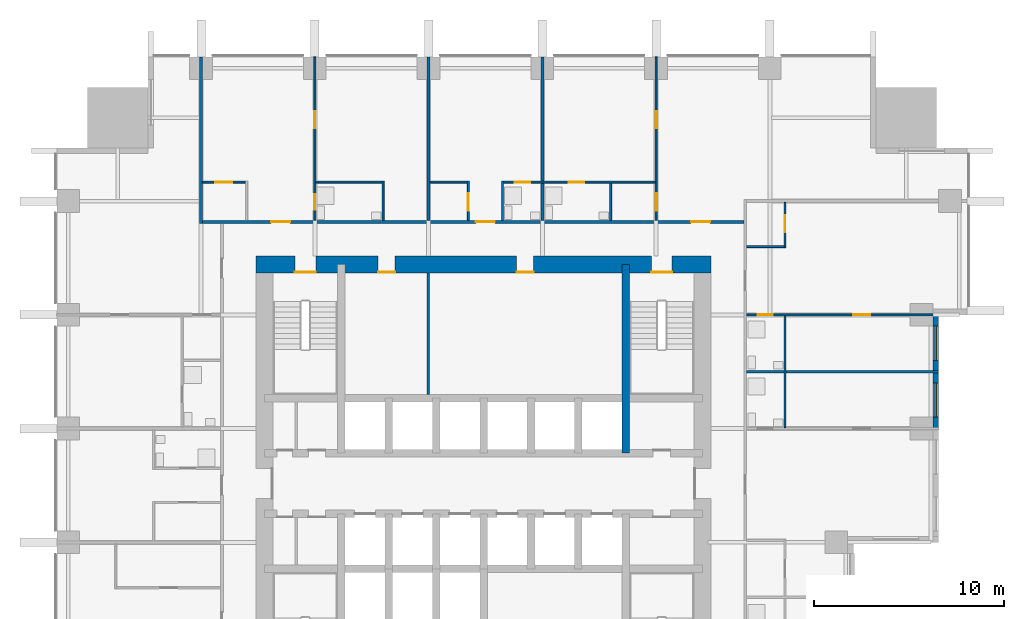
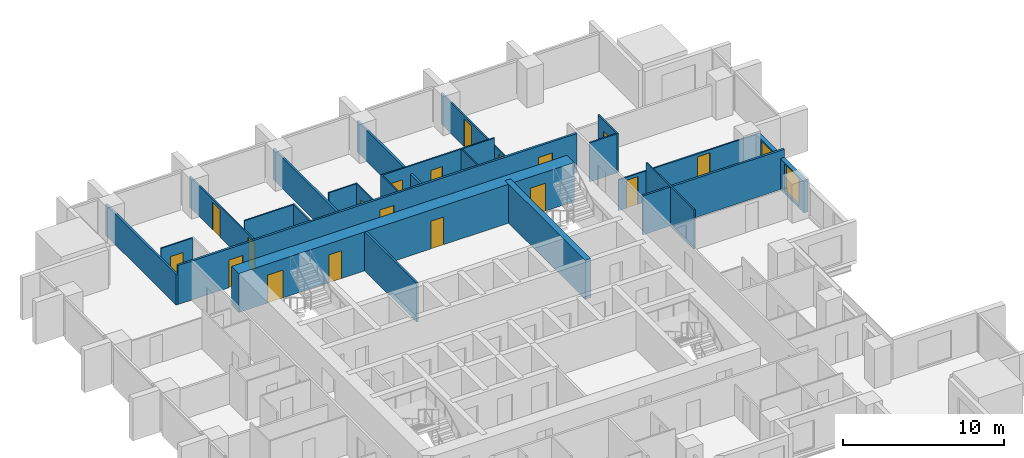
# One storey, part 7 of 10: 23 walls, 18 doors, 2 windows, 20 openings.
"""IFC4 building model written with IfcOpenShell, lengths in metres."""

from ifc_helpers import new_model, si_unit, direction, frame, frame_2d, origin, place, context, subcontext, project, spatial, rectangle, extrude, material, layer, layer_set, type_object, element, fill, save


model = new_model("IFC4")

# Units and contexts
model_context = context("Model", 3, precision=1e-05, world=origin(), true_north=direction((0.0, 1.0)))
body_context = subcontext(model_context, "Body", "Model", "MODEL_VIEW")
ifc_project = project(units=[si_unit("LENGTHUNIT", "METRE"), si_unit("AREAUNIT", "SQUARE_METRE"), si_unit("VOLUMEUNIT", "CUBIC_METRE"), si_unit("PLANEANGLEUNIT", "RADIAN"), si_unit("MASSUNIT", "GRAM", prefix="KILO")], contexts=[model_context])

# Site, building, storey
site_placement = place(None, origin())
site = spatial("IfcSite", under=ifc_project, at=site_placement, CompositionType="ELEMENT")
building_placement = place(site_placement, origin())
building = spatial("IfcBuilding", under=site, at=building_placement, Name="Amberfall Residences", CompositionType="ELEMENT")
storey_placement = place(building_placement, frame((0.0, 0.0, 66.39990234375)))
storey = spatial("IfcBuildingStorey", under=building, at=storey_placement, Name="L18", CompositionType="ELEMENT", Elevation=66.39990234375)

# Wall, openings, windows
ifc_material_1 = material(Name="Pale stone cladding on insulated backing", Category="masonry")
ifc_layer_1 = layer(ifc_material_1, 0.300048828125)
ifc_layer_set_1 = layer_set([ifc_layer_1], Name="Bronze clad wall 300")
wall_type_1 = type_object("IfcWallType", Name="Bronze clad wall 300", PredefinedType="SOLIDWALL", material=ifc_layer_set_1)
wall_1_placement = place(storey_placement, frame((98.35009765625, 48.39990234375, 0.0), z_axis=(0.0, 0.0, 1.0), x_axis=(0.0, 1.0, 0.0)))
wall_1 = element("IfcWall", 1, at=wall_1_placement, inside=storey, type_object=wall_type_1, Name="Stone wall L18 E", PredefinedType="SOLIDWALL", context=body_context, shape_type="SweptSolid", body=[
    extrude(rectangle(XDim=6.0, YDim=0.300048828125, at=frame_2d((3.0, 0.0))), origin(), (0.0, 0.0, 1.0), 2.340576171875),
])
opening_1_placement = place(wall_1_placement, frame((0.60009765625, 0.0, 0.14990234375)))
opening_1 = element("IfcOpeningElement", 2, at=opening_1_placement, cuts=wall_1, Name="Opening WN6", PredefinedType="OPENING", context=body_context, shape_type="SweptSolid", body=[
    extrude(rectangle(XDim=1.800048828125, YDim=2.10009765625, at=frame_2d((0.89990234375, 1.050048828125))), frame((0.0, 0.159912109375, 0.0), z_axis=(0.0, -1.0, 0.0), x_axis=(1.0, 0.0, 0.0)), (0.0, 0.0, 1.0), 0.320068359375),
])
opening_2_placement = place(wall_1_placement, frame((3.60009765625, 0.0, 0.14990234375)))
opening_2 = element("IfcOpeningElement", 3, at=opening_2_placement, cuts=wall_1, Name="Opening WN6", PredefinedType="OPENING", context=body_context, shape_type="SweptSolid", body=[
    extrude(rectangle(XDim=1.800048828125, YDim=2.10009765625, at=frame_2d((0.89990234375, 1.050048828125))), frame((0.0, 0.159912109375, 0.0), z_axis=(0.0, -1.0, 0.0), x_axis=(1.0, 0.0, 0.0)), (0.0, 0.0, 1.0), 0.320068359375),
])
ifc_material_2 = material(Name="Bronze aluminium framed glazing", Category="aluminium")
window_type = type_object("IfcWindowType", Name="Glazed opening 1800 x 2100 bronze", PartitioningType="DOUBLE_PANEL_VERTICAL", PredefinedType="WINDOW", material=ifc_material_2)
window_1_placement = place(opening_1_placement, origin())
window_1 = element("IfcWindow", 4, at=window_1_placement, inside=storey, type_object=window_type, Name="Window L18 E", OverallHeight=2.10009765625, OverallWidth=1.800048828125, PartitioningType="DOUBLE_PANEL_VERTICAL", PredefinedType="WINDOW", context=body_context, shape_type="SweptSolid", body=[
    extrude(rectangle(XDim=1.800048828125, YDim=2.10009765625, at=frame_2d((0.89990234375, 1.050048828125))), frame((0.0, 0.030029296875, 0.0), z_axis=(0.0, -1.0, 0.0), x_axis=(1.0, 0.0, 0.0)), (0.0, 0.0, 1.0), 0.06005859375),
])
fill(opening_1, window_1)
window_2_placement = place(opening_2_placement, origin())
window_2 = element("IfcWindow", 5, at=window_2_placement, inside=storey, type_object=window_type, Name="Window L18 E", OverallHeight=2.10009765625, OverallWidth=1.800048828125, PartitioningType="DOUBLE_PANEL_VERTICAL", PredefinedType="WINDOW", context=body_context, shape_type="SweptSolid", body=[
    extrude(rectangle(XDim=1.800048828125, YDim=2.10009765625, at=frame_2d((0.89990234375, 1.050048828125))), frame((0.0, 0.030029296875, 0.0), z_axis=(0.0, -1.0, 0.0), x_axis=(1.0, 0.0, 0.0)), (0.0, 0.0, 1.0), 0.06005859375),
])
fill(opening_2, window_2)

# Wall
ifc_material_3 = material(Name="Concrete C80", Category="concrete")
ifc_layer_2 = layer(ifc_material_3, 0.39990234375)
ifc_layer_set_2 = layer_set([ifc_layer_2], Name="Core wall 400 C80")
wall_type_2 = type_object("IfcWallType", Name="Core wall 400 C80", PredefinedType="SHEAR", material=ifc_layer_set_2)
wall_2_placement = place(storey_placement, frame((82.0, 47.10009765625, 0.0), z_axis=(0.0, 0.0, 1.0), x_axis=(0.0, 1.0, 0.0)))
element("IfcWall", 6, at=wall_2_placement, inside=storey, type_object=wall_type_2, Name="Core wall RW2 L18 V195N", PredefinedType="SHEAR", context=body_context, shape_type="SweptSolid", body=[
    extrude(rectangle(XDim=9.949951171875, YDim=0.39990234375, at=frame_2d((4.97509765625, 0.0))), origin(), (0.0, 0.0, 1.0), 2.9501953125),
])

# Wall, openings, doors
ifc_layer_3 = layer(ifc_material_3, 0.89990234375)
ifc_layer_set_3 = layer_set([ifc_layer_3], Name="Core wall 900 C80")
wall_type_3 = type_object("IfcWallType", Name="Core wall 900 C80", PredefinedType="SHEAR", material=ifc_layer_set_3)
wall_3_placement = place(storey_placement, frame((62.5, 57.050048828125, 0.0), z_axis=(0.0, 0.0, 1.0), x_axis=(1.0, 0.0, 0.0)))
wall_3 = element("IfcWall", 7, at=wall_3_placement, inside=storey, type_object=wall_type_3, Name="Core wall RW1 L18 ON", PredefinedType="SHEAR", context=body_context, shape_type="SweptSolid", body=[
    extrude(rectangle(XDim=24.0, YDim=0.89990234375, at=frame_2d((12.0, 0.0))), origin(), (0.0, 0.0, 1.0), 2.9501953125),
])
opening_3_placement = place(wall_3_placement, frame((20.85009765625, 0.0, 0.0)))
opening_3 = element("IfcOpeningElement", 8, at=opening_3_placement, cuts=wall_3, Name="Opening SD1", PredefinedType="OPENING", context=body_context, shape_type="SweptSolid", body=[
    extrude(rectangle(XDim=1.10009765625, YDim=2.10009765625, at=frame_2d((0.550048828125, 1.050048828125))), frame((0.0, 0.4599609375, 0.0), z_axis=(0.0, -1.0, 0.0), x_axis=(1.0, 0.0, 0.0)), (0.0, 0.0, 1.0), 0.919921875),
])
opening_4_placement = place(wall_3_placement, frame((2.050048828125, 0.0, 0.0)))
opening_4 = element("IfcOpeningElement", 9, at=opening_4_placement, cuts=wall_3, Name="Opening SD1", PredefinedType="OPENING", context=body_context, shape_type="SweptSolid", body=[
    extrude(rectangle(XDim=1.10009765625, YDim=2.10009765625, at=frame_2d((0.550048828125, 1.050048828125))), frame((0.0, 0.4599609375, 0.0), z_axis=(0.0, -1.0, 0.0), x_axis=(1.0, 0.0, 0.0)), (0.0, 0.0, 1.0), 0.919921875),
])
opening_5_placement = place(wall_3_placement, frame((6.43994140625, 0.0, 0.0)))
opening_5 = element("IfcOpeningElement", 10, at=opening_5_placement, cuts=wall_3, Name="Opening RD1", PredefinedType="OPENING", context=body_context, shape_type="SweptSolid", body=[
    extrude(rectangle(XDim=0.89990234375, YDim=2.10009765625, at=frame_2d((0.449951171875, 1.050048828125))), frame((0.0, 0.4599609375, 0.0), z_axis=(0.0, -1.0, 0.0), x_axis=(1.0, 0.0, 0.0)), (0.0, 0.0, 1.0), 0.919921875),
])
opening_6_placement = place(wall_3_placement, frame((13.739990234375, 0.0, 0.0)))
opening_6 = element("IfcOpeningElement", 11, at=opening_6_placement, cuts=wall_3, Name="Opening RD1", PredefinedType="OPENING", context=body_context, shape_type="SweptSolid", body=[
    extrude(rectangle(XDim=0.89990234375, YDim=2.10009765625, at=frame_2d((0.449951171875, 1.050048828125))), frame((0.0, 0.4599609375, 0.0), z_axis=(0.0, -1.0, 0.0), x_axis=(1.0, 0.0, 0.0)), (0.0, 0.0, 1.0), 0.919921875),
])
ifc_material_4 = material(Name="Steel fire door set", Category="steel")
door_type_1 = type_object("IfcDoorType", Name="Service room door 900 x 2100", OperationType="SINGLE_SWING_LEFT", PredefinedType="DOOR", material=ifc_material_4)
door_1_placement = place(opening_5_placement, origin())
door_1 = element("IfcDoor", 12, at=door_1_placement, inside=storey, type_object=door_type_1, Name="RD1 L18", OperationType="SINGLE_SWING_RIGHT", OverallHeight=2.10009765625, OverallWidth=0.89990234375, PredefinedType="DOOR", context=body_context, shape_type="SweptSolid", body=[
    extrude(rectangle(XDim=0.89990234375, YDim=2.10009765625, at=frame_2d((0.449951171875, 1.050048828125))), frame((0.0, -0.3876953125, 0.0), z_axis=(0.0, -1.0, 0.0), x_axis=(1.0, 0.0, 0.0)), (0.0, 0.0, 1.0), 0.050048828125),
])
fill(opening_5, door_1)
door_2_placement = place(opening_6_placement, origin())
door_2 = element("IfcDoor", 13, at=door_2_placement, inside=storey, type_object=door_type_1, Name="RD1 L18", OperationType="SINGLE_SWING_RIGHT", OverallHeight=2.10009765625, OverallWidth=0.89990234375, PredefinedType="DOOR", context=body_context, shape_type="SweptSolid", body=[
    extrude(rectangle(XDim=0.89990234375, YDim=2.10009765625, at=frame_2d((0.449951171875, 1.050048828125))), frame((0.0, -0.3876953125, 0.0), z_axis=(0.0, -1.0, 0.0), x_axis=(1.0, 0.0, 0.0)), (0.0, 0.0, 1.0), 0.050048828125),
])
fill(opening_6, door_2)
door_type_2 = type_object("IfcDoorType", Name="Stair door 1100 x 2100", OperationType="SINGLE_SWING_LEFT", PredefinedType="DOOR", material=ifc_material_4)
door_3_placement = place(opening_3_placement, origin())
door_3 = element("IfcDoor", 14, at=door_3_placement, inside=storey, type_object=door_type_2, Name="SD1 L18", OperationType="SINGLE_SWING_RIGHT", OverallHeight=2.10009765625, OverallWidth=1.10009765625, PredefinedType="DOOR", context=body_context, shape_type="SweptSolid", body=[
    extrude(rectangle(XDim=1.10009765625, YDim=2.10009765625, at=frame_2d((0.550048828125, 1.050048828125))), frame((0.0, -0.3876953125, 0.0), z_axis=(0.0, -1.0, 0.0), x_axis=(1.0, 0.0, 0.0)), (0.0, 0.0, 1.0), 0.050048828125),
])
fill(opening_3, door_3)
door_4_placement = place(opening_4_placement, origin())
door_4 = element("IfcDoor", 15, at=door_4_placement, inside=storey, type_object=door_type_2, Name="SD1 L18", OperationType="SINGLE_SWING_LEFT", OverallHeight=2.10009765625, OverallWidth=1.10009765625, PredefinedType="DOOR", context=body_context, shape_type="SweptSolid", body=[
    extrude(rectangle(XDim=1.10009765625, YDim=2.10009765625, at=frame_2d((0.550048828125, 1.050048828125))), frame((0.0, -0.3876953125, 0.0), z_axis=(0.0, -1.0, 0.0), x_axis=(1.0, 0.0, 0.0)), (0.0, 0.0, 1.0), 0.050048828125),
])
fill(opening_4, door_4)

ifc_material_5 = material(Name="Gypsum board on metal stud")
ifc_layer_4 = layer(ifc_material_5, 0.10009765625)
ifc_layer_set_4 = layer_set([ifc_layer_4], Name="Flat partition 100")
wall_type_4 = type_object("IfcWallType", Name="Flat partition 100", PredefinedType="PARTITIONING", material=ifc_layer_set_4)
wall_4_placement = place(storey_placement, frame((65.60009765625, 68.0, 0.0), z_axis=(0.0, 0.0, 1.0), x_axis=(0.0, -1.0, 0.0)))
wall_4 = element("IfcWall", 16, at=wall_4_placement, inside=storey, type_object=wall_type_4, Name="Partition 007", PredefinedType="PARTITIONING", context=body_context, shape_type="SweptSolid", body=[
    extrude(rectangle(XDim=8.625, YDim=0.10009765625, at=frame_2d((4.3125, 0.0))), origin(), (0.0, 0.0, 1.0), 2.33203125),
])
opening_7_placement = place(wall_4_placement, frame((2.85009765625, 0.0, 0.0)))
opening_7 = element("IfcOpeningElement", 17, at=opening_7_placement, cuts=wall_4, Name="Opening D41", PredefinedType="OPENING", context=body_context, shape_type="SweptSolid", body=[
    extrude(rectangle(XDim=0.89990234375, YDim=2.10009765625, at=frame_2d((0.449951171875, 1.050048828125))), frame((0.0, 0.06005859375, 0.0), z_axis=(0.0, -1.0, 0.0), x_axis=(1.0, 0.0, 0.0)), (0.0, 0.0, 1.0), 0.1201171875),
])
opening_8_placement = place(wall_4_placement, frame((7.25, 0.0, 0.0)))
opening_8 = element("IfcOpeningElement", 18, at=opening_8_placement, cuts=wall_4, Name="Opening D42", PredefinedType="OPENING", context=body_context, shape_type="SweptSolid", body=[
    extrude(rectangle(XDim=0.800048828125, YDim=2.10009765625, at=frame_2d((0.39990234375, 1.050048828125))), frame((0.0, 0.06005859375, 0.0), z_axis=(0.0, -1.0, 0.0), x_axis=(1.0, 0.0, 0.0)), (0.0, 0.0, 1.0), 0.1201171875),
])
ifc_material_6 = material(Name="Timber", Category="wood")
door_type_3 = type_object("IfcDoorType", Name="Bathroom door 800 x 2100", OperationType="SINGLE_SWING_LEFT", PredefinedType="DOOR", material=ifc_material_6)
door_5_placement = place(opening_8_placement, origin())
door_5 = element("IfcDoor", 19, at=door_5_placement, inside=storey, type_object=door_type_3, Name="Door 1806 bath1", OperationType="SINGLE_SWING_LEFT", OverallHeight=2.10009765625, OverallWidth=0.800048828125, PredefinedType="DOOR", context=body_context, shape_type="SweptSolid", body=[
    extrude(rectangle(XDim=0.800048828125, YDim=2.10009765625, at=frame_2d((0.39990234375, 1.050048828125))), frame((0.0, 0.02490234375, 0.0), z_axis=(0.0, -1.0, 0.0), x_axis=(1.0, 0.0, 0.0)), (0.0, 0.0, 1.0), 0.050048828125),
])
fill(opening_8, door_5)
door_type_4 = type_object("IfcDoorType", Name="Internal door 900 x 2100", OperationType="SINGLE_SWING_LEFT", PredefinedType="DOOR", material=ifc_material_6)
door_6_placement = place(opening_7_placement, origin())
door_6 = element("IfcDoor", 20, at=door_6_placement, inside=storey, type_object=door_type_4, Name="Door 1806 bedroom1", OperationType="SINGLE_SWING_LEFT", OverallHeight=2.10009765625, OverallWidth=0.89990234375, PredefinedType="DOOR", context=body_context, shape_type="SweptSolid", body=[
    extrude(rectangle(XDim=0.89990234375, YDim=2.10009765625, at=frame_2d((0.449951171875, 1.050048828125))), frame((0.0, 0.02490234375, 0.0), z_axis=(0.0, -1.0, 0.0), x_axis=(1.0, 0.0, 0.0)), (0.0, 0.0, 1.0), 0.050048828125),
])
fill(opening_7, door_6)

# Wall
wall_5_placement = place(storey_placement, frame((69.199951171875, 59.375, 0.0), z_axis=(0.0, 0.0, 1.0), x_axis=(0.0, 1.0, 0.0)))
element("IfcWall", 21, at=wall_5_placement, inside=storey, type_object=wall_type_4, Name="Partition 009", PredefinedType="PARTITIONING", context=body_context, shape_type="SweptSolid", body=[
    extrude(rectangle(XDim=2.074951171875, YDim=0.10009765625, at=frame_2d((1.03759765625, 0.0))), origin(), (0.0, 0.0, 1.0), 2.9501953125),
])

# Wall, opening, door
wall_6_placement = place(storey_placement, frame((73.699951171875, 59.375, 0.0), z_axis=(0.0, 0.0, 1.0), x_axis=(0.0, 1.0, 0.0)))
wall_6 = element("IfcWall", 22, at=wall_6_placement, inside=storey, type_object=wall_type_4, Name="Partition 011", PredefinedType="PARTITIONING", context=body_context, shape_type="SweptSolid", body=[
    extrude(rectangle(XDim=2.074951171875, YDim=0.10009765625, at=frame_2d((1.03759765625, 0.0))), origin(), (0.0, 0.0, 1.0), 2.9501953125),
])
opening_9_placement = place(wall_6_placement, frame((0.52490234375, 0.0, 0.0)))
opening_9 = element("IfcOpeningElement", 23, at=opening_9_placement, cuts=wall_6, Name="Opening D41", PredefinedType="OPENING", context=body_context, shape_type="SweptSolid", body=[
    extrude(rectangle(XDim=0.89990234375, YDim=2.10009765625, at=frame_2d((0.449951171875, 1.050048828125))), frame((0.0, 0.06005859375, 0.0), z_axis=(0.0, -1.0, 0.0), x_axis=(1.0, 0.0, 0.0)), (0.0, 0.0, 1.0), 0.1201171875),
])
door_7_placement = place(opening_9_placement, origin())
door_7 = element("IfcDoor", 24, at=door_7_placement, inside=storey, type_object=door_type_4, Name="Door 1807 kitchen", OperationType="SINGLE_SWING_LEFT", OverallHeight=2.10009765625, OverallWidth=0.89990234375, PredefinedType="DOOR", context=body_context, shape_type="SweptSolid", body=[
    extrude(rectangle(XDim=0.89990234375, YDim=2.10009765625, at=frame_2d((0.449951171875, 1.050048828125))), frame((0.0, 0.02490234375, 0.0), z_axis=(0.0, -1.0, 0.0), x_axis=(1.0, 0.0, 0.0)), (0.0, 0.0, 1.0), 0.050048828125),
])
fill(opening_9, door_7)

# Walls
wall_7_placement = place(storey_placement, frame((75.5, 59.375, 0.0), z_axis=(0.0, 0.0, 1.0), x_axis=(0.0, 1.0, 0.0)))
element("IfcWall", 25, at=wall_7_placement, inside=storey, type_object=wall_type_4, Name="Partition 012", PredefinedType="PARTITIONING", context=body_context, shape_type="SweptSolid", body=[
    extrude(rectangle(XDim=2.074951171875, YDim=0.10009765625, at=frame_2d((1.03759765625, 0.0))), origin(), (0.0, 0.0, 1.0), 2.9501953125),
])
wall_8_placement = place(storey_placement, frame((81.199951171875, 59.375, 0.0), z_axis=(0.0, 0.0, 1.0), x_axis=(0.0, 1.0, 0.0)))
element("IfcWall", 26, at=wall_8_placement, inside=storey, type_object=wall_type_4, Name="Partition 014", PredefinedType="PARTITIONING", context=body_context, shape_type="SweptSolid", body=[
    extrude(rectangle(XDim=1.97509765625, YDim=0.10009765625, at=frame_2d((0.987548828125, 0.0))), origin(), (0.0, 0.0, 1.0), 2.9501953125),
])

# Wall, openings, doors
wall_9_placement = place(storey_placement, frame((83.60009765625, 59.375, 0.0), z_axis=(0.0, 0.0, 1.0), x_axis=(0.0, 1.0, 0.0)))
wall_9 = element("IfcWall", 27, at=wall_9_placement, inside=storey, type_object=wall_type_4, Name="Partition 016", PredefinedType="PARTITIONING", context=body_context, shape_type="SweptSolid", body=[
    extrude(rectangle(XDim=8.625, YDim=0.10009765625, at=frame_2d((4.3125, 0.0))), origin(), (0.0, 0.0, 1.0), 2.33203125),
])
opening_10_placement = place(wall_9_placement, frame((0.52490234375, 0.0, 0.0)))
opening_10 = element("IfcOpeningElement", 28, at=opening_10_placement, cuts=wall_9, Name="Opening D41", PredefinedType="OPENING", context=body_context, shape_type="SweptSolid", body=[
    extrude(rectangle(XDim=0.89990234375, YDim=2.10009765625, at=frame_2d((0.449951171875, 1.050048828125))), frame((0.0, 0.06005859375, 0.0), z_axis=(0.0, -1.0, 0.0), x_axis=(1.0, 0.0, 0.0)), (0.0, 0.0, 1.0), 0.1201171875),
])
opening_11_placement = place(wall_9_placement, frame((4.875, 0.0, 0.0)))
opening_11 = element("IfcOpeningElement", 29, at=opening_11_placement, cuts=wall_9, Name="Opening D41", PredefinedType="OPENING", context=body_context, shape_type="SweptSolid", body=[
    extrude(rectangle(XDim=0.89990234375, YDim=2.10009765625, at=frame_2d((0.449951171875, 1.050048828125))), frame((0.0, 0.06005859375, 0.0), z_axis=(0.0, -1.0, 0.0), x_axis=(1.0, 0.0, 0.0)), (0.0, 0.0, 1.0), 0.1201171875),
])
door_8_placement = place(opening_10_placement, origin())
door_8 = element("IfcDoor", 30, at=door_8_placement, inside=storey, type_object=door_type_4, Name="Door 1808 kitchen", OperationType="SINGLE_SWING_LEFT", OverallHeight=2.10009765625, OverallWidth=0.89990234375, PredefinedType="DOOR", context=body_context, shape_type="SweptSolid", body=[
    extrude(rectangle(XDim=0.89990234375, YDim=2.10009765625, at=frame_2d((0.449951171875, 1.050048828125))), frame((0.0, 0.02490234375, 0.0), z_axis=(0.0, -1.0, 0.0), x_axis=(1.0, 0.0, 0.0)), (0.0, 0.0, 1.0), 0.050048828125),
])
fill(opening_10, door_8)
door_9_placement = place(opening_11_placement, origin())
door_9 = element("IfcDoor", 31, at=door_9_placement, inside=storey, type_object=door_type_4, Name="Door 1808 bedroom1", OperationType="SINGLE_SWING_LEFT", OverallHeight=2.10009765625, OverallWidth=0.89990234375, PredefinedType="DOOR", context=body_context, shape_type="SweptSolid", body=[
    extrude(rectangle(XDim=0.89990234375, YDim=2.10009765625, at=frame_2d((0.449951171875, 1.050048828125))), frame((0.0, 0.02490234375, 0.0), z_axis=(0.0, -1.0, 0.0), x_axis=(1.0, 0.0, 0.0)), (0.0, 0.0, 1.0), 0.050048828125),
])
fill(opening_11, door_9)

# Wall
wall_10_placement = place(storey_placement, frame((90.39990234375, 48.449951171875, 0.0), z_axis=(0.0, 0.0, 1.0), x_axis=(0.0, 1.0, 0.0)))
element("IfcWall", 32, at=wall_10_placement, inside=storey, type_object=wall_type_4, Name="Partition 019", PredefinedType="PARTITIONING", context=body_context, shape_type="SweptSolid", body=[
    extrude(rectangle(XDim=5.900146484375, YDim=0.10009765625, at=frame_2d((2.9501953125, 0.0))), origin(), (0.0, 0.0, 1.0), 2.9501953125),
])

# Wall, opening, door
wall_11_placement = place(storey_placement, frame((90.39990234375, 57.949951171875, 0.0), z_axis=(0.0, 0.0, 1.0), x_axis=(0.0, 1.0, 0.0)))
wall_11 = element("IfcWall", 33, at=wall_11_placement, inside=storey, type_object=wall_type_4, Name="Partition 020", PredefinedType="PARTITIONING", context=body_context, shape_type="SweptSolid", body=[
    extrude(rectangle(XDim=2.375, YDim=0.10009765625, at=frame_2d((1.1875, 0.0))), origin(), (0.0, 0.0, 1.0), 2.9501953125),
])
opening_12_placement = place(wall_11_placement, frame((0.800048828125, 0.0, 0.0)))
opening_12 = element("IfcOpeningElement", 34, at=opening_12_placement, cuts=wall_11, Name="Opening D41", PredefinedType="OPENING", context=body_context, shape_type="SweptSolid", body=[
    extrude(rectangle(XDim=0.89990234375, YDim=2.10009765625, at=frame_2d((0.449951171875, 1.050048828125))), frame((0.0, 0.06005859375, 0.0), z_axis=(0.0, -1.0, 0.0), x_axis=(1.0, 0.0, 0.0)), (0.0, 0.0, 1.0), 0.1201171875),
])
door_10_placement = place(opening_12_placement, origin())
door_10 = element("IfcDoor", 35, at=door_10_placement, inside=storey, type_object=door_type_4, Name="Door 1805 kitchen", OperationType="SINGLE_SWING_LEFT", OverallHeight=2.10009765625, OverallWidth=0.89990234375, PredefinedType="DOOR", context=body_context, shape_type="SweptSolid", body=[
    extrude(rectangle(XDim=0.89990234375, YDim=2.10009765625, at=frame_2d((0.449951171875, 1.050048828125))), frame((0.0, 0.02490234375, 0.0), z_axis=(0.0, -1.0, 0.0), x_axis=(1.0, 0.0, 0.0)), (0.0, 0.0, 1.0), 0.050048828125),
])
fill(opening_12, door_10)

wall_12_placement = place(storey_placement, frame((61.949951171875, 61.39990234375, 0.0), z_axis=(0.0, 0.0, 1.0), x_axis=(-1.0, 0.0, 0.0)))
wall_12 = element("IfcWall", 36, at=wall_12_placement, inside=storey, type_object=wall_type_4, Name="Partition 021", PredefinedType="PARTITIONING", context=body_context, shape_type="SweptSolid", body=[
    extrude(rectangle(XDim=2.27490234375, YDim=0.10009765625, at=frame_2d((1.137451171875, 0.0))), origin(), (0.0, 0.0, 1.0), 2.9501953125),
])
opening_13_placement = place(wall_12_placement, frame((0.699951171875, 0.0, 0.0)))
opening_13 = element("IfcOpeningElement", 37, at=opening_13_placement, cuts=wall_12, Name="Opening D41", PredefinedType="OPENING", context=body_context, shape_type="SweptSolid", body=[
    extrude(rectangle(XDim=0.89990234375, YDim=2.10009765625, at=frame_2d((0.449951171875, 1.050048828125))), frame((0.0, 0.06005859375, 0.0), z_axis=(0.0, -1.0, 0.0), x_axis=(1.0, 0.0, 0.0)), (0.0, 0.0, 1.0), 0.1201171875),
])
door_11_placement = place(opening_13_placement, origin())
door_11 = element("IfcDoor", 38, at=door_11_placement, inside=storey, type_object=door_type_4, Name="Door 1806 kitchen", OperationType="SINGLE_SWING_LEFT", OverallHeight=2.10009765625, OverallWidth=0.89990234375, PredefinedType="DOOR", context=body_context, shape_type="SweptSolid", body=[
    extrude(rectangle(XDim=0.89990234375, YDim=2.10009765625, at=frame_2d((0.449951171875, 1.050048828125))), frame((0.0, 0.02490234375, 0.0), z_axis=(0.0, -1.0, 0.0), x_axis=(1.0, 0.0, 0.0)), (0.0, 0.0, 1.0), 0.050048828125),
])
fill(opening_13, door_11)

# Walls
wall_13_placement = place(storey_placement, frame((65.64990234375, 61.39990234375, 0.0), z_axis=(0.0, 0.0, 1.0), x_axis=(1.0, 0.0, 0.0)))
element("IfcWall", 39, at=wall_13_placement, inside=storey, type_object=wall_type_4, Name="Partition 022", PredefinedType="PARTITIONING", context=body_context, shape_type="SweptSolid", body=[
    extrude(rectangle(XDim=3.5, YDim=0.10009765625, at=frame_2d((1.75, 0.0))), origin(), (0.0, 0.0, 1.0), 2.9501953125),
])
wall_14_placement = place(storey_placement, frame((71.675048828125, 61.39990234375, 0.0), z_axis=(0.0, 0.0, 1.0), x_axis=(1.0, 0.0, 0.0)))
element("IfcWall", 40, at=wall_14_placement, inside=storey, type_object=wall_type_4, Name="Partition 023", PredefinedType="PARTITIONING", context=body_context, shape_type="SweptSolid", body=[
    extrude(rectangle(XDim=1.974853515625, YDim=0.10009765625, at=frame_2d((0.9873046875, 0.0))), origin(), (0.0, 0.0, 1.0), 2.9501953125),
])

# Wall, openings, doors
wall_15_placement = place(storey_placement, frame((83.550048828125, 61.39990234375, 0.0), z_axis=(0.0, 0.0, 1.0), x_axis=(-1.0, 0.0, 0.0)))
wall_15 = element("IfcWall", 41, at=wall_15_placement, inside=storey, type_object=wall_type_4, Name="Partition 024", PredefinedType="PARTITIONING", context=body_context, shape_type="SweptSolid", body=[
    extrude(rectangle(XDim=8.0, YDim=0.10009765625, at=frame_2d((4.0, 0.0))), origin(), (0.0, 0.0, 1.0), 2.9501953125),
])
opening_14_placement = place(wall_15_placement, frame((6.60009765625, 0.0, 0.0)))
opening_14 = element("IfcOpeningElement", 42, at=opening_14_placement, cuts=wall_15, Name="Opening D42", PredefinedType="OPENING", context=body_context, shape_type="SweptSolid", body=[
    extrude(rectangle(XDim=0.800048828125, YDim=2.10009765625, at=frame_2d((0.39990234375, 1.050048828125))), frame((0.0, 0.06005859375, 0.0), z_axis=(0.0, -1.0, 0.0), x_axis=(1.0, 0.0, 0.0)), (0.0, 0.0, 1.0), 0.1201171875),
])
opening_15_placement = place(wall_15_placement, frame((3.75, 0.0, 0.0)))
opening_15 = element("IfcOpeningElement", 43, at=opening_15_placement, cuts=wall_15, Name="Opening D42", PredefinedType="OPENING", context=body_context, shape_type="SweptSolid", body=[
    extrude(rectangle(XDim=0.800048828125, YDim=2.10009765625, at=frame_2d((0.39990234375, 1.050048828125))), frame((0.0, 0.06005859375, 0.0), z_axis=(0.0, -1.0, 0.0), x_axis=(1.0, 0.0, 0.0)), (0.0, 0.0, 1.0), 0.1201171875),
])
door_12_placement = place(opening_14_placement, origin())
door_12 = element("IfcDoor", 44, at=door_12_placement, inside=storey, type_object=door_type_3, Name="Door 1807 bath1", OperationType="SINGLE_SWING_LEFT", OverallHeight=2.10009765625, OverallWidth=0.800048828125, PredefinedType="DOOR", context=body_context, shape_type="SweptSolid", body=[
    extrude(rectangle(XDim=0.800048828125, YDim=2.10009765625, at=frame_2d((0.39990234375, 1.050048828125))), frame((0.0, 0.02490234375, 0.0), z_axis=(0.0, -1.0, 0.0), x_axis=(1.0, 0.0, 0.0)), (0.0, 0.0, 1.0), 0.050048828125),
])
fill(opening_14, door_12)
door_13_placement = place(opening_15_placement, origin())
door_13 = element("IfcDoor", 45, at=door_13_placement, inside=storey, type_object=door_type_3, Name="Door 1808 bath1", OperationType="SINGLE_SWING_LEFT", OverallHeight=2.10009765625, OverallWidth=0.800048828125, PredefinedType="DOOR", context=body_context, shape_type="SweptSolid", body=[
    extrude(rectangle(XDim=0.800048828125, YDim=2.10009765625, at=frame_2d((0.39990234375, 1.050048828125))), frame((0.0, 0.02490234375, 0.0), z_axis=(0.0, -1.0, 0.0), x_axis=(1.0, 0.0, 0.0)), (0.0, 0.0, 1.0), 0.050048828125),
])
fill(opening_15, door_13)

# Wall
wall_16_placement = place(storey_placement, frame((88.375, 58.0, 0.0), z_axis=(0.0, 0.0, 1.0), x_axis=(1.0, 0.0, 0.0)))
element("IfcWall", 46, at=wall_16_placement, inside=storey, type_object=wall_type_4, Name="Partition 025", PredefinedType="PARTITIONING", context=body_context, shape_type="SweptSolid", body=[
    extrude(rectangle(XDim=1.97509765625, YDim=0.10009765625, at=frame_2d((0.987548828125, 0.0))), origin(), (0.0, 0.0, 1.0), 2.9501953125),
])

# Wall, openings, doors
wall_17_placement = place(storey_placement, frame((98.5, 54.39990234375, 0.0), z_axis=(0.0, 0.0, 1.0), x_axis=(-1.0, 0.0, 0.0)))
wall_17 = element("IfcWall", 47, at=wall_17_placement, inside=storey, type_object=wall_type_4, Name="Partition 027", PredefinedType="PARTITIONING", context=body_context, shape_type="SweptSolid", body=[
    extrude(rectangle(XDim=10.125, YDim=0.10009765625, at=frame_2d((5.0625, 0.0))), origin(), (0.0, 0.0, 1.0), 2.33203125),
])
opening_16_placement = place(wall_17_placement, frame((3.60009765625, 0.0, 0.0)))
opening_16 = element("IfcOpeningElement", 48, at=opening_16_placement, cuts=wall_17, Name="Opening D41", PredefinedType="OPENING", context=body_context, shape_type="SweptSolid", body=[
    extrude(rectangle(XDim=0.89990234375, YDim=2.10009765625, at=frame_2d((0.449951171875, 1.050048828125))), frame((0.0, 0.06005859375, 0.0), z_axis=(0.0, -1.0, 0.0), x_axis=(1.0, 0.0, 0.0)), (0.0, 0.0, 1.0), 0.1201171875),
])
opening_17_placement = place(wall_17_placement, frame((8.75, 0.0, 0.0)))
opening_17 = element("IfcOpeningElement", 49, at=opening_17_placement, cuts=wall_17, Name="Opening D42", PredefinedType="OPENING", context=body_context, shape_type="SweptSolid", body=[
    extrude(rectangle(XDim=0.800048828125, YDim=2.10009765625, at=frame_2d((0.39990234375, 1.050048828125))), frame((0.0, 0.06005859375, 0.0), z_axis=(0.0, -1.0, 0.0), x_axis=(1.0, 0.0, 0.0)), (0.0, 0.0, 1.0), 0.1201171875),
])
door_14_placement = place(opening_17_placement, origin())
door_14 = element("IfcDoor", 50, at=door_14_placement, inside=storey, type_object=door_type_3, Name="Door 1805 bath1", OperationType="SINGLE_SWING_LEFT", OverallHeight=2.10009765625, OverallWidth=0.800048828125, PredefinedType="DOOR", context=body_context, shape_type="SweptSolid", body=[
    extrude(rectangle(XDim=0.800048828125, YDim=2.10009765625, at=frame_2d((0.39990234375, 1.050048828125))), frame((0.0, 0.02490234375, 0.0), z_axis=(0.0, -1.0, 0.0), x_axis=(1.0, 0.0, 0.0)), (0.0, 0.0, 1.0), 0.050048828125),
])
fill(opening_17, door_14)
door_15_placement = place(opening_16_placement, origin())
door_15 = element("IfcDoor", 51, at=door_15_placement, inside=storey, type_object=door_type_4, Name="Door 1805 bedroom1", OperationType="SINGLE_SWING_LEFT", OverallHeight=2.10009765625, OverallWidth=0.89990234375, PredefinedType="DOOR", context=body_context, shape_type="SweptSolid", body=[
    extrude(rectangle(XDim=0.89990234375, YDim=2.10009765625, at=frame_2d((0.449951171875, 1.050048828125))), frame((0.0, 0.02490234375, 0.0), z_axis=(0.0, -1.0, 0.0), x_axis=(1.0, 0.0, 0.0)), (0.0, 0.0, 1.0), 0.050048828125),
])
fill(opening_16, door_15)

# Walls
ifc_material_7 = material(Name="Blockwork, plastered", Category="masonry")
ifc_layer_5 = layer(ifc_material_7, 0.14990234375)
ifc_layer_set_5 = layer_set([ifc_layer_5], Name="Flat separating wall 150")
wall_type_5 = type_object("IfcWallType", Name="Flat separating wall 150", PredefinedType="PARTITIONING", material=ifc_layer_set_5)
wall_18_placement = place(storey_placement, frame((59.60009765625, 59.22509765625, 0.0), z_axis=(0.0, 0.0, 1.0), x_axis=(0.0, 1.0, 0.0)))
element("IfcWall", 52, at=wall_18_placement, inside=storey, type_object=wall_type_5, Name="Separating wall 041", PredefinedType="PARTITIONING", context=body_context, shape_type="SweptSolid", body=[
    extrude(rectangle(XDim=8.77490234375, YDim=0.14990234375, at=frame_2d((4.387451171875, 0.0))), origin(), (0.0, 0.0, 1.0), 2.33203125),
])
for number, where, z_axis, x_axis, name in (
    (53, (71.60009765625, 59.375, 0.0), (0.0, 0.0, 1.0), (0.0, 1.0, 0.0), "Separating wall 043"),
    (54, (77.60009765625, 59.375, 0.0), (0.0, 0.0, 1.0), (0.0, 1.0, 0.0), "Separating wall 045"),
):
    element("IfcWall", number, at=place(storey_placement, frame(where, z_axis=z_axis, x_axis=x_axis)), inside=storey, type_object=wall_type_5, Name=name, PredefinedType="PARTITIONING", context=body_context, shape_type="SweptSolid", body=[
        extrude(rectangle(XDim=8.625, YDim=0.14990234375, at=frame_2d((4.3125, 0.0))), origin(), (0.0, 0.0, 1.0), 2.33203125),
    ])

# Wall, openings, doors
wall_19_placement = place(storey_placement, frame((59.675048828125, 59.300048828125, 0.0), z_axis=(0.0, 0.0, 1.0), x_axis=(1.0, 0.0, 0.0)))
wall_19 = element("IfcWall", 55, at=wall_19_placement, inside=storey, type_object=wall_type_5, Name="Separating wall 049", PredefinedType="PARTITIONING", context=body_context, shape_type="SweptSolid", body=[
    extrude(rectangle(XDim=28.550048828125, YDim=0.14990234375, at=frame_2d((14.27490234375, 0.0))), origin(), (0.0, 0.0, 1.0), 2.9501953125),
])
opening_18_placement = place(wall_19_placement, frame((3.625, 0.0, 0.0)))
opening_18 = element("IfcOpeningElement", 56, at=opening_18_placement, cuts=wall_19, Name="Opening D40", PredefinedType="OPENING", context=body_context, shape_type="SweptSolid", body=[
    extrude(rectangle(XDim=1.0, YDim=2.10009765625, at=frame_2d((0.5, 1.050048828125))), frame((0.0, 0.0849609375, 0.0), z_axis=(0.0, -1.0, 0.0), x_axis=(1.0, 0.0, 0.0)), (0.0, 0.0, 1.0), 0.169921875),
])
opening_19_placement = place(wall_19_placement, frame((14.425048828125, 0.0, 0.0)))
opening_19 = element("IfcOpeningElement", 57, at=opening_19_placement, cuts=wall_19, Name="Opening D40", PredefinedType="OPENING", context=body_context, shape_type="SweptSolid", body=[
    extrude(rectangle(XDim=1.0, YDim=2.10009765625, at=frame_2d((0.5, 1.050048828125))), frame((0.0, 0.0849609375, 0.0), z_axis=(0.0, -1.0, 0.0), x_axis=(1.0, 0.0, 0.0)), (0.0, 0.0, 1.0), 0.169921875),
])
opening_20_placement = place(wall_19_placement, frame((25.77490234375, 0.0, 0.0)))
opening_20 = element("IfcOpeningElement", 58, at=opening_20_placement, cuts=wall_19, Name="Opening D40", PredefinedType="OPENING", context=body_context, shape_type="SweptSolid", body=[
    extrude(rectangle(XDim=1.0, YDim=2.10009765625, at=frame_2d((0.5, 1.050048828125))), frame((0.0, 0.0849609375, 0.0), z_axis=(0.0, -1.0, 0.0), x_axis=(1.0, 0.0, 0.0)), (0.0, 0.0, 1.0), 0.169921875),
])
ifc_material_8 = material(Name="Timber, fire-rated", Category="wood")
door_type_5 = type_object("IfcDoorType", Name="Flat entrance door FD60 1000 x 2100", OperationType="SINGLE_SWING_LEFT", PredefinedType="DOOR", material=ifc_material_8)
door_16_placement = place(opening_18_placement, origin())
door_16 = element("IfcDoor", 59, at=door_16_placement, inside=storey, type_object=door_type_5, Name="Door 1806 entrance", OperationType="SINGLE_SWING_LEFT", OverallHeight=2.10009765625, OverallWidth=1.0, PredefinedType="DOOR", context=body_context, shape_type="SweptSolid", body=[
    extrude(rectangle(XDim=1.0, YDim=2.10009765625, at=frame_2d((0.5, 1.050048828125))), frame((0.0, 0.02490234375, 0.0), z_axis=(0.0, -1.0, 0.0), x_axis=(1.0, 0.0, 0.0)), (0.0, 0.0, 1.0), 0.050048828125),
])
fill(opening_18, door_16)
door_17_placement = place(opening_19_placement, origin())
door_17 = element("IfcDoor", 60, at=door_17_placement, inside=storey, type_object=door_type_5, Name="Door 1807 entrance", OperationType="SINGLE_SWING_LEFT", OverallHeight=2.10009765625, OverallWidth=1.0, PredefinedType="DOOR", context=body_context, shape_type="SweptSolid", body=[
    extrude(rectangle(XDim=1.0, YDim=2.10009765625, at=frame_2d((0.5, 1.050048828125))), frame((0.0, 0.02490234375, 0.0), z_axis=(0.0, -1.0, 0.0), x_axis=(1.0, 0.0, 0.0)), (0.0, 0.0, 1.0), 0.050048828125),
])
fill(opening_19, door_17)
door_18_placement = place(opening_20_placement, origin())
door_18 = element("IfcDoor", 61, at=door_18_placement, inside=storey, type_object=door_type_5, Name="Door 1808 entrance", OperationType="SINGLE_SWING_LEFT", OverallHeight=2.10009765625, OverallWidth=1.0, PredefinedType="DOOR", context=body_context, shape_type="SweptSolid", body=[
    extrude(rectangle(XDim=1.0, YDim=2.10009765625, at=frame_2d((0.5, 1.050048828125))), frame((0.0, 0.02490234375, 0.0), z_axis=(0.0, -1.0, 0.0), x_axis=(1.0, 0.0, 0.0)), (0.0, 0.0, 1.0), 0.050048828125),
])
fill(opening_20, door_18)

# Walls
wall_20_placement = place(storey_placement, frame((88.375, 51.39990234375, 0.0), z_axis=(0.0, 0.0, 1.0), x_axis=(1.0, 0.0, 0.0)))
element("IfcWall", 62, at=wall_20_placement, inside=storey, type_object=wall_type_5, Name="Separating wall 050", PredefinedType="PARTITIONING", context=body_context, shape_type="SweptSolid", body=[
    extrude(rectangle(XDim=10.125, YDim=0.14990234375, at=frame_2d((5.0625, 0.0))), origin(), (0.0, 0.0, 1.0), 2.9501953125),
])
ifc_material_9 = material(Name="Concrete blockwork", Category="masonry")
ifc_layer_6 = layer(ifc_material_9, 0.14990234375)
ifc_layer_set_6 = layer_set([ifc_layer_6], Name="Riser wall 150")
wall_type_6 = type_object("IfcWallType", Name="Riser wall 150", PredefinedType="PLUMBINGWALL", material=ifc_layer_set_6)
wall_21_placement = place(storey_placement, frame((71.580078125, 50.199951171875, 0.0), z_axis=(0.0, 0.0, 1.0), x_axis=(0.0, 1.0, 0.0)))
element("IfcWall", 63, at=wall_21_placement, inside=storey, type_object=wall_type_6, Name="L18 core wall N0", PredefinedType="PLUMBINGWALL", context=body_context, shape_type="SweptSolid", body=[
    extrude(rectangle(XDim=6.400146484375, YDim=0.14990234375, at=frame_2d((3.2001953125, 0.0))), origin(), (0.0, 0.0, 1.0), 2.9501953125),
])

save(model, "model.ifc")
